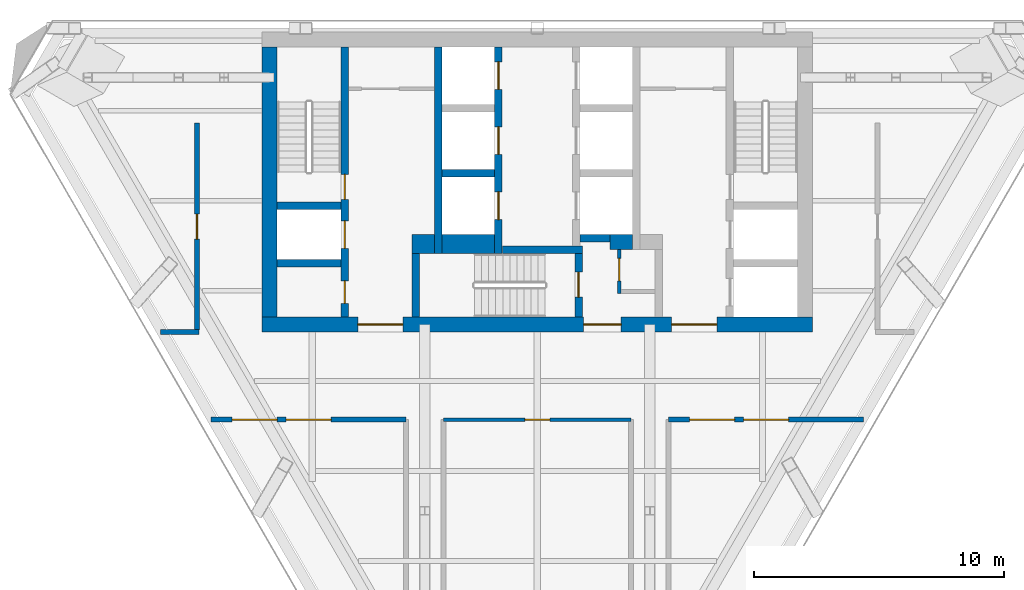
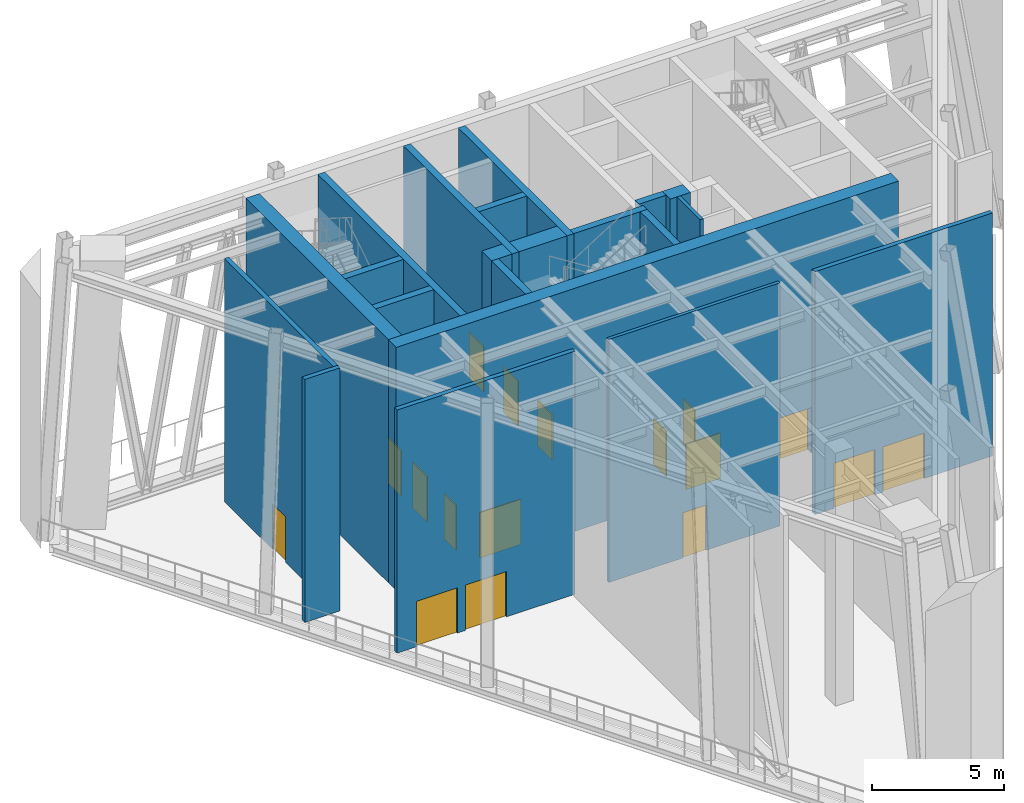
# One storey, part 3 of 11: 21 walls, 17 doors, 17 openings.
"""IFC4 building model written with IfcOpenShell, lengths in metres."""

from ifc_helpers import new_model, si_unit, direction, frame, frame_2d, origin, place, context, subcontext, project, spatial, rectangle, extrude, material, layer, layer_set, type_object, element, fill, save


model = new_model("IFC4")

# Units and contexts
model_context = context("Model", 3, precision=1e-05, world=origin(), true_north=direction((0.0, 1.0)))
body_context = subcontext(model_context, "Body", "Model", "MODEL_VIEW")
ifc_project = project(units=[si_unit("LENGTHUNIT", "METRE"), si_unit("AREAUNIT", "SQUARE_METRE"), si_unit("VOLUMEUNIT", "CUBIC_METRE"), si_unit("PLANEANGLEUNIT", "RADIAN"), si_unit("MASSUNIT", "GRAM", prefix="KILO")], contexts=[model_context])

# Site, building, storey
site_placement = place(None, origin())
site = spatial("IfcSite", under=ifc_project, at=site_placement, CompositionType="ELEMENT")
building_placement = place(site_placement, origin())
building = spatial("IfcBuilding", under=site, at=building_placement, Name="Aloe Facet Convention Tower", CompositionType="ELEMENT")
storey_placement = place(building_placement, frame((0.0, 0.0, 227.0)))
storey = spatial("IfcBuildingStorey", under=building, at=storey_placement, Name="L57", CompositionType="ELEMENT", Elevation=227.0)

# Wall, opening, door
ifc_material_1 = material(Name="Concrete blockwork partition", Category="masonry")
ifc_layer_1 = layer(ifc_material_1, 0.14990234375)
ifc_layer_set_1 = layer_set([ifc_layer_1], Name="CR-W-PART150")
wall_type_1 = type_object("IfcWallType", Name="CR-W-PART150", PredefinedType="PARTITIONING", material=ifc_layer_set_1)
wall_1_placement = place(storey_placement, frame((83.27490234375, 125.85009765625, 0.0), z_axis=(0.0, 0.0, 1.0), x_axis=(0.0, -1.0, 0.0)))
wall_1 = element("IfcWall", 1, at=wall_1_placement, inside=storey, type_object=wall_type_1, Name="Core partition L57-022", PredefinedType="PARTITIONING", context=body_context, shape_type="SweptSolid", body=[
    extrude(rectangle(XDim=1.75, YDim=0.14990234375, at=frame_2d((0.875, 0.0))), origin(), (0.0, 0.0, 1.0), 11.25),
])
opening_1_placement = place(wall_1_placement, frame((0.35009765625, 0.0, 0.0)))
opening_1 = element("IfcOpeningElement", 2, at=opening_1_placement, cuts=wall_1, Name="Opening L57-CD12", PredefinedType="OPENING", context=body_context, shape_type="SweptSolid", body=[
    extrude(rectangle(XDim=0.89990234375, YDim=2.10009765625, at=frame_2d((0.449951171875, 1.050048828125))), frame((0.0, 0.0849609375, 0.0), z_axis=(0.0, -1.0, 0.0), x_axis=(1.0, 0.0, 0.0)), (0.0, 0.0, 1.0), 0.169921875),
])
ifc_material_2 = material(Name="Steel fire-resisting door set FD60", Category="steel")
door_type_1 = type_object("IfcDoorType", Name="CR-D-REFUGE-900-FD60-SRIGHT", OperationType="SINGLE_SWING_RIGHT", PredefinedType="DOOR", material=ifc_material_2)
door_1_placement = place(opening_1_placement, origin())
door_1 = element("IfcDoor", 3, at=door_1_placement, inside=storey, type_object=door_type_1, Name="Core door L57-CD12", OperationType="SINGLE_SWING_RIGHT", OverallHeight=2.10009765625, OverallWidth=0.89990234375, PredefinedType="DOOR", context=body_context, shape_type="SweptSolid", body=[
    extrude(rectangle(XDim=0.89990234375, YDim=2.10009765625, at=frame_2d((0.449951171875, 1.050048828125))), frame((0.0, 0.02490234375, 0.0), z_axis=(0.0, -1.0, 0.0), x_axis=(1.0, 0.0, 0.0)), (0.0, 0.0, 1.0), 0.050048828125),
])
fill(opening_1, door_1)

# Walls
ifc_material_3 = material(Name="Concrete C50/60", Category="concrete")
ifc_layer_2 = layer(ifc_material_3, 0.300048828125)
ifc_layer_set_2 = layer_set([ifc_layer_2], Name="CR-W-RC300-C5060")
wall_type_2 = type_object("IfcWallType", Name="CR-W-RC300-C5060", PredefinedType="SOLIDWALL", material=ifc_layer_set_2)
for number, where, z_axis, x_axis, name in (
    (4, (69.60009765625, 127.60009765625, 0.0), (0.0, 0.0, 1.0), (1.0, 0.0, 0.0), "Core wall L57-004"),
    (5, (69.60009765625, 125.300048828125, 0.0), (0.0, 0.0, 1.0), (1.0, 0.0, 0.0), "Core wall L57-005"),
):
    element("IfcWall", number, at=place(storey_placement, frame(where, z_axis=z_axis, x_axis=x_axis)), inside=storey, type_object=wall_type_2, Name=name, PredefinedType="SOLIDWALL", context=body_context, shape_type="SweptSolid", body=[
        extrude(rectangle(XDim=2.5498046875, YDim=0.300048828125, at=frame_2d((1.27490234375, 0.0))), origin(), (0.0, 0.0, 1.0), 11.25),
    ])

# Wall, openings, doors
wall_2_placement = place(storey_placement, frame((72.300048828125, 133.949951171875, 0.0), z_axis=(0.0, 0.0, 1.0), x_axis=(0.0, -1.0, 0.0)))
wall_2 = element("IfcWall", 6, at=wall_2_placement, inside=storey, type_object=wall_type_2, Name="Core wall L57-006", PredefinedType="SOLIDWALL", context=body_context, shape_type="SweptSolid", body=[
    extrude(rectangle(XDim=10.800048828125, YDim=0.300048828125, at=frame_2d((5.39990234375, 0.0))), origin(), (0.0, 0.0, 1.0), 11.25),
])
opening_2_placement = place(wall_2_placement, frame((6.949951171875, 0.0, 0.0)))
opening_2 = element("IfcOpeningElement", 7, at=opening_2_placement, cuts=wall_2, Name="Opening LD-FF1-L57", PredefinedType="OPENING", context=body_context, shape_type="SweptSolid", body=[
    extrude(rectangle(XDim=1.10009765625, YDim=2.10009765625, at=frame_2d((0.550048828125, 1.050048828125))), frame((0.0, 0.16015625, 0.0), z_axis=(0.0, -1.0, 0.0), x_axis=(1.0, 0.0, 0.0)), (0.0, 0.0, 1.0), 0.320068359375),
])
opening_3_placement = place(wall_2_placement, frame((9.35009765625, 0.0, 0.0)))
opening_3 = element("IfcOpeningElement", 8, at=opening_3_placement, cuts=wall_2, Name="Opening L57-CD15", PredefinedType="OPENING", context=body_context, shape_type="SweptSolid", body=[
    extrude(rectangle(XDim=0.89990234375, YDim=2.10009765625, at=frame_2d((0.449951171875, 1.050048828125))), frame((0.0, 0.16015625, 0.0), z_axis=(0.0, -1.0, 0.0), x_axis=(1.0, 0.0, 0.0)), (0.0, 0.0, 1.0), 0.320068359375),
])
opening_4_placement = place(wall_2_placement, frame((5.10009765625, 0.0, 0.0)))
opening_4 = element("IfcOpeningElement", 9, at=opening_4_placement, cuts=wall_2, Name="Opening L57-CD16", PredefinedType="OPENING", context=body_context, shape_type="SweptSolid", body=[
    extrude(rectangle(XDim=1.0, YDim=2.10009765625, at=frame_2d((0.5, 1.050048828125))), frame((0.0, 0.16015625, 0.0), z_axis=(0.0, -1.0, 0.0), x_axis=(1.0, 0.0, 0.0)), (0.0, 0.0, 1.0), 0.320068359375),
])
ifc_material_4 = material(Name="Steel fire-resisting door set FD60", Category="steel")
door_type_2 = type_object("IfcDoorType", Name="CR-D-ROOM-900-FD60-SLEFT", OperationType="SINGLE_SWING_LEFT", PredefinedType="DOOR", material=ifc_material_4)
door_2_placement = place(opening_3_placement, origin())
door_2 = element("IfcDoor", 10, at=door_2_placement, inside=storey, type_object=door_type_2, Name="Core door L57-CD15", OperationType="SINGLE_SWING_LEFT", OverallHeight=2.10009765625, OverallWidth=0.89990234375, PredefinedType="DOOR", context=body_context, shape_type="SweptSolid", body=[
    extrude(rectangle(XDim=0.89990234375, YDim=2.10009765625, at=frame_2d((0.449951171875, 1.050048828125))), frame((0.0, 0.02490234375, 0.0), z_axis=(0.0, -1.0, 0.0), x_axis=(1.0, 0.0, 0.0)), (0.0, 0.0, 1.0), 0.050048828125),
])
fill(opening_3, door_2)
ifc_material_5 = material(Name="Steel fire-resisting door set FD120", Category="steel")
door_type_3 = type_object("IfcDoorType", Name="CR-D-STAIR-1000-FD120-SRIGHT", OperationType="SINGLE_SWING_RIGHT", PredefinedType="DOOR", material=ifc_material_5)
door_3_placement = place(opening_4_placement, origin())
door_3 = element("IfcDoor", 11, at=door_3_placement, inside=storey, type_object=door_type_3, Name="Core door L57-CD16", OperationType="SINGLE_SWING_RIGHT", OverallHeight=2.10009765625, OverallWidth=1.0, PredefinedType="DOOR", context=body_context, shape_type="SweptSolid", body=[
    extrude(rectangle(XDim=1.0, YDim=2.10009765625, at=frame_2d((0.5, 1.050048828125))), frame((0.0, 0.02490234375, 0.0), z_axis=(0.0, -1.0, 0.0), x_axis=(1.0, 0.0, 0.0)), (0.0, 0.0, 1.0), 0.050048828125),
])
fill(opening_4, door_3)
ifc_material_6 = material(Name="Stainless steel sliding landing door", Category="steel")
door_type_4 = type_object("IfcDoorType", Name="CR-LD-1100-FD120-_LEFT", OperationType="SLIDING_TO_LEFT", PredefinedType="DOOR", material=ifc_material_6)
door_4_placement = place(opening_2_placement, origin())
door_4 = element("IfcDoor", 12, at=door_4_placement, inside=storey, type_object=door_type_4, Name="Landing door FF1 L57", OperationType="SLIDING_TO_LEFT", OverallHeight=2.10009765625, OverallWidth=1.10009765625, PredefinedType="DOOR", context=body_context, shape_type="SweptSolid", body=[
    extrude(rectangle(XDim=1.10009765625, YDim=2.10009765625, at=frame_2d((0.550048828125, 1.050048828125))), frame((0.0, 0.02490234375, 0.0), z_axis=(0.0, -1.0, 0.0), x_axis=(1.0, 0.0, 0.0)), (0.0, 0.0, 1.0), 0.050048828125),
])
fill(opening_2, door_4)

# Walls
wall_3_placement = place(storey_placement, frame((75.14990234375, 125.699951171875, 0.0), z_axis=(0.0, 0.0, 1.0), x_axis=(0.0, -1.0, 0.0)))
element("IfcWall", 13, at=wall_3_placement, inside=storey, type_object=wall_type_2, Name="Core wall L57-009", PredefinedType="SOLIDWALL", context=body_context, shape_type="SweptSolid", body=[
    extrude(rectangle(XDim=2.550048828125, YDim=0.300048828125, at=frame_2d((1.27490234375, 0.0))), origin(), (0.0, 0.0, 1.0), 11.25),
])
wall_4_placement = place(storey_placement, frame((76.050048828125, 133.949951171875, 0.0), z_axis=(0.0, 0.0, 1.0), x_axis=(0.0, -1.0, 0.0)))
element("IfcWall", 14, at=wall_4_placement, inside=storey, type_object=wall_type_2, Name="Core wall L57-010", PredefinedType="SOLIDWALL", context=body_context, shape_type="SweptSolid", body=[
    extrude(rectangle(XDim=8.25, YDim=0.300048828125, at=frame_2d((4.125, 0.0))), origin(), (0.0, 0.0, 1.0), 11.25),
])
wall_5_placement = place(storey_placement, frame((76.199951171875, 128.89990234375, 0.0), z_axis=(0.0, 0.0, 1.0), x_axis=(1.0, 0.0, 0.0)))
element("IfcWall", 15, at=wall_5_placement, inside=storey, type_object=wall_type_2, Name="Core wall L57-012", PredefinedType="SOLIDWALL", context=body_context, shape_type="SweptSolid", body=[
    extrude(rectangle(XDim=2.10009765625, YDim=0.300048828125, at=frame_2d((1.050048828125, 0.0))), origin(), (0.0, 0.0, 1.0), 11.25),
])

# Wall, openings, doors
wall_6_placement = place(storey_placement, frame((78.449951171875, 133.949951171875, 0.0), z_axis=(0.0, 0.0, 1.0), x_axis=(0.0, -1.0, 0.0)))
wall_6 = element("IfcWall", 16, at=wall_6_placement, inside=storey, type_object=wall_type_2, Name="Core wall L57-014", PredefinedType="SOLIDWALL", context=body_context, shape_type="SweptSolid", body=[
    extrude(rectangle(XDim=8.25, YDim=0.300048828125, at=frame_2d((4.125, 0.0))), origin(), (0.0, 0.0, 1.0), 11.25),
])
opening_5_placement = place(wall_6_placement, frame((0.60009765625, 0.0, 0.0)))
opening_5 = element("IfcOpeningElement", 17, at=opening_5_placement, cuts=wall_6, Name="Opening LD-B1-L57", PredefinedType="OPENING", context=body_context, shape_type="SweptSolid", body=[
    extrude(rectangle(XDim=1.10009765625, YDim=2.10009765625, at=frame_2d((0.550048828125, 1.050048828125))), frame((0.0, 0.16015625, 0.0), z_axis=(0.0, -1.0, 0.0), x_axis=(1.0, 0.0, 0.0)), (0.0, 0.0, 1.0), 0.320068359375),
])
opening_6_placement = place(wall_6_placement, frame((3.199951171875, 0.0, 0.0)))
opening_6 = element("IfcOpeningElement", 18, at=opening_6_placement, cuts=wall_6, Name="Opening LD-B2-L57", PredefinedType="OPENING", context=body_context, shape_type="SweptSolid", body=[
    extrude(rectangle(XDim=1.10009765625, YDim=2.10009765625, at=frame_2d((0.550048828125, 1.050048828125))), frame((0.0, 0.16015625, 0.0), z_axis=(0.0, -1.0, 0.0), x_axis=(1.0, 0.0, 0.0)), (0.0, 0.0, 1.0), 0.320068359375),
])
opening_7_placement = place(wall_6_placement, frame((5.800048828125, 0.0, 0.0)))
opening_7 = element("IfcOpeningElement", 19, at=opening_7_placement, cuts=wall_6, Name="Opening LD-B3-L57", PredefinedType="OPENING", context=body_context, shape_type="SweptSolid", body=[
    extrude(rectangle(XDim=1.10009765625, YDim=2.10009765625, at=frame_2d((0.550048828125, 1.050048828125))), frame((0.0, 0.16015625, 0.0), z_axis=(0.0, -1.0, 0.0), x_axis=(1.0, 0.0, 0.0)), (0.0, 0.0, 1.0), 0.320068359375),
])
ifc_material_7 = material(Name="Stainless steel sliding landing door", Category="steel")
door_type_5 = type_object("IfcDoorType", Name="CR-LD-1100-FD60-RIGHT", OperationType="SLIDING_TO_RIGHT", PredefinedType="DOOR", material=ifc_material_7)
door_5_placement = place(opening_5_placement, origin())
door_5 = element("IfcDoor", 20, at=door_5_placement, inside=storey, type_object=door_type_5, Name="Landing door B1 L57", OperationType="SLIDING_TO_RIGHT", OverallHeight=2.10009765625, OverallWidth=1.10009765625, PredefinedType="DOOR", context=body_context, shape_type="SweptSolid", body=[
    extrude(rectangle(XDim=1.10009765625, YDim=2.10009765625, at=frame_2d((0.550048828125, 1.050048828125))), frame((0.0, 0.02490234375, 0.0), z_axis=(0.0, -1.0, 0.0), x_axis=(1.0, 0.0, 0.0)), (0.0, 0.0, 1.0), 0.050048828125),
])
fill(opening_5, door_5)
door_6_placement = place(opening_6_placement, origin())
door_6 = element("IfcDoor", 21, at=door_6_placement, inside=storey, type_object=door_type_5, Name="Landing door B2 L57", OperationType="SLIDING_TO_RIGHT", OverallHeight=2.10009765625, OverallWidth=1.10009765625, PredefinedType="DOOR", context=body_context, shape_type="SweptSolid", body=[
    extrude(rectangle(XDim=1.10009765625, YDim=2.10009765625, at=frame_2d((0.550048828125, 1.050048828125))), frame((0.0, 0.02490234375, 0.0), z_axis=(0.0, -1.0, 0.0), x_axis=(1.0, 0.0, 0.0)), (0.0, 0.0, 1.0), 0.050048828125),
])
fill(opening_6, door_6)
door_7_placement = place(opening_7_placement, origin())
door_7 = element("IfcDoor", 22, at=door_7_placement, inside=storey, type_object=door_type_5, Name="Landing door B3 L57", OperationType="SLIDING_TO_RIGHT", OverallHeight=2.10009765625, OverallWidth=1.10009765625, PredefinedType="DOOR", context=body_context, shape_type="SweptSolid", body=[
    extrude(rectangle(XDim=1.10009765625, YDim=2.10009765625, at=frame_2d((0.550048828125, 1.050048828125))), frame((0.0, 0.02490234375, 0.0), z_axis=(0.0, -1.0, 0.0), x_axis=(1.0, 0.0, 0.0)), (0.0, 0.0, 1.0), 0.050048828125),
])
fill(opening_7, door_7)

# Wall
wall_7_placement = place(storey_placement, frame((78.60009765625, 125.85009765625, 0.0), z_axis=(0.0, 0.0, 1.0), x_axis=(1.0, 0.0, 0.0)))
element("IfcWall", 23, at=wall_7_placement, inside=storey, type_object=wall_type_2, Name="Core wall L57-015", PredefinedType="SOLIDWALL", context=body_context, shape_type="SweptSolid", body=[
    extrude(rectangle(XDim=3.199951171875, YDim=0.300048828125, at=frame_2d((1.60009765625, 0.0))), origin(), (0.0, 0.0, 1.0), 11.25),
])

# Wall, opening, door
wall_8_placement = place(storey_placement, frame((81.64990234375, 125.699951171875, 0.0), z_axis=(0.0, 0.0, 1.0), x_axis=(0.0, -1.0, 0.0)))
wall_8 = element("IfcWall", 24, at=wall_8_placement, inside=storey, type_object=wall_type_2, Name="Core wall L57-017", PredefinedType="SOLIDWALL", context=body_context, shape_type="SweptSolid", body=[
    extrude(rectangle(XDim=2.550048828125, YDim=0.300048828125, at=frame_2d((1.27490234375, 0.0))), origin(), (0.0, 0.0, 1.0), 11.25),
])
opening_8_placement = place(wall_8_placement, frame((0.75, 0.0, 0.0)))
opening_8 = element("IfcOpeningElement", 25, at=opening_8_placement, cuts=wall_8, Name="Opening L57-CD18", PredefinedType="OPENING", context=body_context, shape_type="SweptSolid", body=[
    extrude(rectangle(XDim=1.0, YDim=2.10009765625, at=frame_2d((0.5, 1.050048828125))), frame((0.0, 0.16015625, 0.0), z_axis=(0.0, -1.0, 0.0), x_axis=(1.0, 0.0, 0.0)), (0.0, 0.0, 1.0), 0.320068359375),
])
ifc_material_8 = material(Name="Steel fire-resisting door set FD120", Category="steel")
door_type_6 = type_object("IfcDoorType", Name="CR-D-STAIR-1000-FD120-SLEFT", OperationType="SINGLE_SWING_LEFT", PredefinedType="DOOR", material=ifc_material_8)
door_8_placement = place(opening_8_placement, origin())
door_8 = element("IfcDoor", 26, at=door_8_placement, inside=storey, type_object=door_type_6, Name="Core door L57-CD18", OperationType="SINGLE_SWING_LEFT", OverallHeight=2.10009765625, OverallWidth=1.0, PredefinedType="DOOR", context=body_context, shape_type="SweptSolid", body=[
    extrude(rectangle(XDim=1.0, YDim=2.10009765625, at=frame_2d((0.5, 1.050048828125))), frame((0.0, 0.02490234375, 0.0), z_axis=(0.0, -1.0, 0.0), x_axis=(1.0, 0.0, 0.0)), (0.0, 0.0, 1.0), 0.050048828125),
])
fill(opening_8, door_8)

# Walls
wall_9_placement = place(storey_placement, frame((81.699951171875, 126.300048828125, 0.0), z_axis=(0.0, 0.0, 1.0), x_axis=(1.0, 0.0, 0.0)))
element("IfcWall", 27, at=wall_9_placement, inside=storey, type_object=wall_type_2, Name="Core wall L57-020", PredefinedType="SOLIDWALL", context=body_context, shape_type="SweptSolid", body=[
    extrude(rectangle(XDim=1.199951171875, YDim=0.300048828125, at=frame_2d((0.60009765625, 0.0))), origin(), (0.0, 0.0, 1.0), 11.25),
])
ifc_material_9 = material(Name="Concrete C50/60", Category="concrete")
ifc_layer_3 = layer(ifc_material_9, 0.60009765625)
ifc_layer_set_3 = layer_set([ifc_layer_3], Name="CR-W-RC600-C5060")
wall_type_3 = type_object("IfcWallType", Name="CR-W-RC600-C5060", PredefinedType="SOLIDWALL", material=ifc_layer_set_3)
wall_10_placement = place(storey_placement, frame((69.300048828125, 133.949951171875, 0.0), z_axis=(0.0, 0.0, 1.0), x_axis=(0.0, -1.0, 0.0)))
element("IfcWall", 28, at=wall_10_placement, inside=storey, type_object=wall_type_3, Name="Core wall L57-002", PredefinedType="SOLIDWALL", context=body_context, shape_type="SweptSolid", body=[
    extrude(rectangle(XDim=10.800048828125, YDim=0.60009765625, at=frame_2d((5.39990234375, 0.0))), origin(), (0.0, 0.0, 1.0), 11.25),
])

# Wall, openings, doors
wall_11_placement = place(storey_placement, frame((69.0, 122.85009765625, 0.0), z_axis=(0.0, 0.0, 1.0), x_axis=(1.0, 0.0, 0.0)))
wall_11 = element("IfcWall", 29, at=wall_11_placement, inside=storey, type_object=wall_type_3, Name="Core wall L57-003", PredefinedType="SOLIDWALL", context=body_context, shape_type="SweptSolid", body=[
    extrude(rectangle(XDim=22.0, YDim=0.60009765625, at=frame_2d((11.0, 0.0))), origin(), (0.0, 0.0, 1.0), 11.25),
])
opening_9_placement = place(wall_11_placement, frame((16.375, 0.0, 0.0)))
opening_9 = element("IfcOpeningElement", 30, at=opening_9_placement, cuts=wall_11, Name="Opening L57-CD09", PredefinedType="OPENING", context=body_context, shape_type="SweptSolid", body=[
    extrude(rectangle(XDim=1.800048828125, YDim=2.10009765625, at=frame_2d((0.89990234375, 1.050048828125))), frame((0.0, 0.31005859375, 0.0), z_axis=(0.0, -1.0, 0.0), x_axis=(1.0, 0.0, 0.0)), (0.0, 0.0, 1.0), 0.6201171875),
])
opening_10_placement = place(wall_11_placement, frame((3.824951171875, 0.0, 0.0)))
opening_10 = element("IfcOpeningElement", 31, at=opening_10_placement, cuts=wall_11, Name="Opening L57-CD10", PredefinedType="OPENING", context=body_context, shape_type="SweptSolid", body=[
    extrude(rectangle(XDim=1.800048828125, YDim=2.10009765625, at=frame_2d((0.89990234375, 1.050048828125))), frame((0.0, 0.31005859375, 0.0), z_axis=(0.0, -1.0, 0.0), x_axis=(1.0, 0.0, 0.0)), (0.0, 0.0, 1.0), 0.6201171875),
])
opening_11_placement = place(wall_11_placement, frame((12.85009765625, 0.0, 0.0)))
opening_11 = element("IfcOpeningElement", 32, at=opening_11_placement, cuts=wall_11, Name="Opening L57-CD11", PredefinedType="OPENING", context=body_context, shape_type="SweptSolid", body=[
    extrude(rectangle(XDim=1.5, YDim=2.10009765625, at=frame_2d((0.75, 1.050048828125))), frame((0.0, 0.31005859375, 0.0), z_axis=(0.0, -1.0, 0.0), x_axis=(1.0, 0.0, 0.0)), (0.0, 0.0, 1.0), 0.6201171875),
])
ifc_material_10 = material(Name="Steel fire-resisting door set FD60", Category="steel")
door_type_7 = type_object("IfcDoorType", Name="CR-D-EXIT-1500-FD60-DD", OperationType="DOUBLE_DOOR_DOUBLE_SWING", PredefinedType="DOOR", material=ifc_material_10)
door_9_placement = place(opening_11_placement, origin())
door_9 = element("IfcDoor", 33, at=door_9_placement, inside=storey, type_object=door_type_7, Name="Core door L57-CD11", OperationType="DOUBLE_DOOR_DOUBLE_SWING", OverallHeight=2.10009765625, OverallWidth=1.5, PredefinedType="DOOR", context=body_context, shape_type="SweptSolid", body=[
    extrude(rectangle(XDim=1.5, YDim=2.10009765625, at=frame_2d((0.75, 1.050048828125))), frame((0.0, 0.02490234375, 0.0), z_axis=(0.0, -1.0, 0.0), x_axis=(1.0, 0.0, 0.0)), (0.0, 0.0, 1.0), 0.050048828125),
])
fill(opening_11, door_9)
ifc_material_11 = material(Name="Steel fire-resisting door set FD120", Category="steel")
door_type_8 = type_object("IfcDoorType", Name="CR-D-EXIT-1800-FD120-DD", OperationType="DOUBLE_DOOR_DOUBLE_SWING", PredefinedType="DOOR", material=ifc_material_11)
door_10_placement = place(opening_9_placement, origin())
door_10 = element("IfcDoor", 34, at=door_10_placement, inside=storey, type_object=door_type_8, Name="Core door L57-CD09", OperationType="DOUBLE_DOOR_DOUBLE_SWING", OverallHeight=2.10009765625, OverallWidth=1.800048828125, PredefinedType="DOOR", context=body_context, shape_type="SweptSolid", body=[
    extrude(rectangle(XDim=1.800048828125, YDim=2.10009765625, at=frame_2d((0.89990234375, 1.050048828125))), frame((0.0, 0.02490234375, 0.0), z_axis=(0.0, -1.0, 0.0), x_axis=(1.0, 0.0, 0.0)), (0.0, 0.0, 1.0), 0.050048828125),
])
fill(opening_9, door_10)
door_11_placement = place(opening_10_placement, origin())
door_11 = element("IfcDoor", 35, at=door_11_placement, inside=storey, type_object=door_type_8, Name="Core door L57-CD10", OperationType="DOUBLE_DOOR_DOUBLE_SWING", OverallHeight=2.10009765625, OverallWidth=1.800048828125, PredefinedType="DOOR", context=body_context, shape_type="SweptSolid", body=[
    extrude(rectangle(XDim=1.800048828125, YDim=2.10009765625, at=frame_2d((0.89990234375, 1.050048828125))), frame((0.0, 0.02490234375, 0.0), z_axis=(0.0, -1.0, 0.0), x_axis=(1.0, 0.0, 0.0)), (0.0, 0.0, 1.0), 0.050048828125),
])
fill(opening_10, door_11)

# Walls
wall_12_placement = place(storey_placement, frame((82.89990234375, 126.14990234375, 0.0), z_axis=(0.0, 0.0, 1.0), x_axis=(1.0, 0.0, 0.0)))
element("IfcWall", 36, at=wall_12_placement, inside=storey, type_object=wall_type_3, Name="Core wall L57-021", PredefinedType="SOLIDWALL", context=body_context, shape_type="SweptSolid", body=[
    extrude(rectangle(XDim=0.900146484375, YDim=0.60009765625, at=frame_2d((0.4501953125, 0.0))), origin(), (0.0, 0.0, 1.0), 11.25),
])
ifc_material_12 = material(Name="Concrete C50/60", Category="concrete")
ifc_layer_4 = layer(ifc_material_12, 0.75)
ifc_layer_set_4 = layer_set([ifc_layer_4], Name="CR-W-RC750-C5060")
wall_type_4 = type_object("IfcWallType", Name="CR-W-RC750-C5060", PredefinedType="SOLIDWALL", material=ifc_layer_set_4)
wall_13_placement = place(storey_placement, frame((75.0, 126.074951171875, 0.0), z_axis=(0.0, 0.0, 1.0), x_axis=(1.0, 0.0, 0.0)))
element("IfcWall", 37, at=wall_13_placement, inside=storey, type_object=wall_type_4, Name="Core wall L57-008", PredefinedType="SOLIDWALL", context=body_context, shape_type="SweptSolid", body=[
    extrude(rectangle(XDim=0.89990234375, YDim=0.75, at=frame_2d((0.449951171875, 0.0))), origin(), (0.0, 0.0, 1.0), 11.25),
])
wall_14_placement = place(storey_placement, frame((76.199951171875, 126.074951171875, 0.0), z_axis=(0.0, 0.0, 1.0), x_axis=(1.0, 0.0, 0.0)))
element("IfcWall", 38, at=wall_14_placement, inside=storey, type_object=wall_type_4, Name="Core wall L57-013", PredefinedType="SOLIDWALL", context=body_context, shape_type="SweptSolid", body=[
    extrude(rectangle(XDim=2.10009765625, YDim=0.75, at=frame_2d((1.050048828125, 0.0))), origin(), (0.0, 0.0, 1.0), 11.25),
])

# Wall, openings, doors
ifc_material_13 = material(Name="Masonry blockwork wall, plastered", Category="masonry")
ifc_layer_5 = layer(ifc_material_13, 0.199951171875)
ifc_layer_set_5 = layer_set([ifc_layer_5], Name="IN-POD-W-ASSY")
wall_type_5 = type_object("IfcWallType", Name="IN-POD-W-ASSY", PredefinedType="PARTITIONING", material=ifc_layer_set_5)
wall_15_placement = place(storey_placement, frame((66.963623046875, 119.050048828125, 0.0), z_axis=(0.0, 0.0, 1.0), x_axis=(1.0, 0.0, 0.0)))
wall_15 = element("IfcWall", 39, at=wall_15_placement, inside=storey, type_object=wall_type_5, Name="Partition L57-W001", PredefinedType="PARTITIONING", context=body_context, shape_type="SweptSolid", body=[
    extrude(rectangle(XDim=7.786376953125, YDim=0.199951171875, at=frame_2d((3.89306640625, 0.0))), origin(), (0.0, 0.0, 1.0), 11.25),
])
opening_12_placement = place(wall_15_placement, frame((2.9931640625, 0.0, 0.0)))
opening_12 = element("IfcOpeningElement", 40, at=opening_12_placement, cuts=wall_15, Name="Opening L57-003", PredefinedType="OPENING", context=body_context, shape_type="SweptSolid", body=[
    extrude(rectangle(XDim=1.800048828125, YDim=2.10009765625, at=frame_2d((0.89990234375, 1.050048828125))), frame((0.0, 0.10986328125, 0.0), z_axis=(0.0, -1.0, 0.0), x_axis=(1.0, 0.0, 0.0)), (0.0, 0.0, 1.0), 0.219970703125),
])
opening_13_placement = place(wall_15_placement, frame((0.838623046875, 0.0, 0.0)))
opening_13 = element("IfcOpeningElement", 41, at=opening_13_placement, cuts=wall_15, Name="Opening L57-004", PredefinedType="OPENING", context=body_context, shape_type="SweptSolid", body=[
    extrude(rectangle(XDim=1.800048828125, YDim=2.10009765625, at=frame_2d((0.89990234375, 1.050048828125))), frame((0.0, 0.10986328125, 0.0), z_axis=(0.0, -1.0, 0.0), x_axis=(1.0, 0.0, 0.0)), (0.0, 0.0, 1.0), 0.219970703125),
])
ifc_material_14 = material(Name="Hardwood flush door pair", Category="wood")
door_type_9 = type_object("IfcDoorType", Name="IN-POD-D-PAIR", OperationType="DOUBLE_DOOR_SINGLE_SWING", PredefinedType="DOOR", material=ifc_material_14)
door_12_placement = place(opening_12_placement, origin())
door_12 = element("IfcDoor", 42, at=door_12_placement, inside=storey, type_object=door_type_9, Name="Door L57-003", OperationType="SINGLE_SWING_LEFT", OverallHeight=2.10009765625, OverallWidth=1.800048828125, PredefinedType="DOOR", context=body_context, shape_type="SweptSolid", body=[
    extrude(rectangle(XDim=1.800048828125, YDim=2.10009765625, at=frame_2d((0.89990234375, 1.050048828125))), frame((0.0, 0.02490234375, 0.0), z_axis=(0.0, -1.0, 0.0), x_axis=(1.0, 0.0, 0.0)), (0.0, 0.0, 1.0), 0.050048828125),
])
fill(opening_12, door_12)
door_13_placement = place(opening_13_placement, origin())
door_13 = element("IfcDoor", 43, at=door_13_placement, inside=storey, type_object=door_type_9, Name="Door L57-004", OperationType="SINGLE_SWING_LEFT", OverallHeight=2.10009765625, OverallWidth=1.800048828125, PredefinedType="DOOR", context=body_context, shape_type="SweptSolid", body=[
    extrude(rectangle(XDim=1.800048828125, YDim=2.10009765625, at=frame_2d((0.89990234375, 1.050048828125))), frame((0.0, 0.02490234375, 0.0), z_axis=(0.0, -1.0, 0.0), x_axis=(1.0, 0.0, 0.0)), (0.0, 0.0, 1.0), 0.050048828125),
])
fill(opening_13, door_13)

wall_16_placement = place(storey_placement, frame((85.25, 119.050048828125, 0.0), z_axis=(0.0, 0.0, 1.0), x_axis=(1.0, 0.0, 0.0)))
wall_16 = element("IfcWall", 44, at=wall_16_placement, inside=storey, type_object=wall_type_5, Name="Partition L57-W003", PredefinedType="PARTITIONING", context=body_context, shape_type="SweptSolid", body=[
    extrude(rectangle(XDim=7.786376953125, YDim=0.199951171875, at=frame_2d((3.89306640625, 0.0))), origin(), (0.0, 0.0, 1.0), 11.25),
])
opening_14_placement = place(wall_16_placement, frame((2.9931640625, 0.0, 0.0)))
opening_14 = element("IfcOpeningElement", 45, at=opening_14_placement, cuts=wall_16, Name="Opening L57-006", PredefinedType="OPENING", context=body_context, shape_type="SweptSolid", body=[
    extrude(rectangle(XDim=1.800048828125, YDim=2.10009765625, at=frame_2d((0.89990234375, 1.050048828125))), frame((0.0, 0.10986328125, 0.0), z_axis=(0.0, -1.0, 0.0), x_axis=(1.0, 0.0, 0.0)), (0.0, 0.0, 1.0), 0.219970703125),
])
opening_15_placement = place(wall_16_placement, frame((0.838623046875, 0.0, 0.0)))
opening_15 = element("IfcOpeningElement", 46, at=opening_15_placement, cuts=wall_16, Name="Opening L57-007", PredefinedType="OPENING", context=body_context, shape_type="SweptSolid", body=[
    extrude(rectangle(XDim=1.800048828125, YDim=2.10009765625, at=frame_2d((0.89990234375, 1.050048828125))), frame((0.0, 0.10986328125, 0.0), z_axis=(0.0, -1.0, 0.0), x_axis=(1.0, 0.0, 0.0)), (0.0, 0.0, 1.0), 0.219970703125),
])
door_14_placement = place(opening_14_placement, origin())
door_14 = element("IfcDoor", 47, at=door_14_placement, inside=storey, type_object=door_type_9, Name="Door L57-006", OperationType="SINGLE_SWING_LEFT", OverallHeight=2.10009765625, OverallWidth=1.800048828125, PredefinedType="DOOR", context=body_context, shape_type="SweptSolid", body=[
    extrude(rectangle(XDim=1.800048828125, YDim=2.10009765625, at=frame_2d((0.89990234375, 1.050048828125))), frame((0.0, 0.02490234375, 0.0), z_axis=(0.0, -1.0, 0.0), x_axis=(1.0, 0.0, 0.0)), (0.0, 0.0, 1.0), 0.050048828125),
])
fill(opening_14, door_14)
door_15_placement = place(opening_15_placement, origin())
door_15 = element("IfcDoor", 48, at=door_15_placement, inside=storey, type_object=door_type_9, Name="Door L57-007", OperationType="SINGLE_SWING_LEFT", OverallHeight=2.10009765625, OverallWidth=1.800048828125, PredefinedType="DOOR", context=body_context, shape_type="SweptSolid", body=[
    extrude(rectangle(XDim=1.800048828125, YDim=2.10009765625, at=frame_2d((0.89990234375, 1.050048828125))), frame((0.0, 0.02490234375, 0.0), z_axis=(0.0, -1.0, 0.0), x_axis=(1.0, 0.0, 0.0)), (0.0, 0.0, 1.0), 0.050048828125),
])
fill(opening_15, door_15)

# Wall, opening, door
ifc_material_15 = material(Name="Gypsum board partition on steel studs, double layer", Category="steel")
ifc_layer_6 = layer(ifc_material_15, 0.14990234375)
ifc_layer_set_6 = layer_set([ifc_layer_6], Name="IN-POD-W-CORR")
wall_type_6 = type_object("IfcWallType", Name="IN-POD-W-CORR", PredefinedType="PARTITIONING", material=ifc_layer_set_6)
wall_17_placement = place(storey_placement, frame((76.25, 119.050048828125, 0.0), z_axis=(0.0, 0.0, 1.0), x_axis=(1.0, 0.0, 0.0)))
wall_17 = element("IfcWall", 49, at=wall_17_placement, inside=storey, type_object=wall_type_6, Name="Partition L57-W002", PredefinedType="PARTITIONING", context=body_context, shape_type="SweptSolid", body=[
    extrude(rectangle(XDim=7.5, YDim=0.14990234375, at=frame_2d((3.75, 0.0))), origin(), (0.0, 0.0, 1.0), 11.25),
])
opening_16_placement = place(wall_17_placement, frame((3.25, 0.0, 0.0)))
opening_16 = element("IfcOpeningElement", 50, at=opening_16_placement, cuts=wall_17, Name="Opening L57-005", PredefinedType="OPENING", context=body_context, shape_type="SweptSolid", body=[
    extrude(rectangle(XDim=1.0, YDim=2.10009765625, at=frame_2d((0.5, 1.050048828125))), frame((0.0, 0.0849609375, 0.0), z_axis=(0.0, -1.0, 0.0), x_axis=(1.0, 0.0, 0.0)), (0.0, 0.0, 1.0), 0.169921875),
])
ifc_material_16 = material(Name="Hardwood flush door", Category="wood")
door_type_10 = type_object("IfcDoorType", Name="IN-POD-D-WIDE", OperationType="SINGLE_SWING_LEFT", PredefinedType="DOOR", material=ifc_material_16)
door_16_placement = place(opening_16_placement, origin())
door_16 = element("IfcDoor", 51, at=door_16_placement, inside=storey, type_object=door_type_10, Name="Door L57-005", OperationType="SINGLE_SWING_LEFT", OverallHeight=2.10009765625, OverallWidth=1.0, PredefinedType="DOOR", context=body_context, shape_type="SweptSolid", body=[
    extrude(rectangle(XDim=1.0, YDim=2.10009765625, at=frame_2d((0.5, 1.050048828125))), frame((0.0, 0.02490234375, 0.0), z_axis=(0.0, -1.0, 0.0), x_axis=(1.0, 0.0, 0.0)), (0.0, 0.0, 1.0), 0.050048828125),
])
fill(opening_16, door_16)

# Wall
ifc_material_17 = material(Name="Masonry blockwork wall, plastered", Category="masonry")
ifc_layer_7 = layer(ifc_material_17, 0.199951171875)
ifc_layer_set_7 = layer_set([ifc_layer_7], Name="IN-POD-W-PLANT")
wall_type_7 = type_object("IfcWallType", Name="IN-POD-W-PLANT", PredefinedType="PARTITIONING", material=ifc_layer_set_7)
wall_18_placement = place(storey_placement, frame((64.943115234375, 122.550048828125, 0.0), z_axis=(0.0, 0.0, 1.0), x_axis=(1.0, 0.0, 0.0)))
element("IfcWall", 52, at=wall_18_placement, inside=storey, type_object=wall_type_7, Name="Partition L57-W004", PredefinedType="PARTITIONING", context=body_context, shape_type="SweptSolid", body=[
    extrude(rectangle(XDim=1.531982421875, YDim=0.199951171875, at=frame_2d((0.76611328125, 0.0))), origin(), (0.0, 0.0, 1.0), 11.25),
])

# Wall, opening, door
wall_19_placement = place(storey_placement, frame((66.39990234375, 122.635009765625, 0.0), z_axis=(0.0, 0.0, 1.0), x_axis=(0.0, 1.0, 0.0)))
wall_19 = element("IfcWall", 53, at=wall_19_placement, inside=storey, type_object=wall_type_7, Name="Partition L57-W005", PredefinedType="PARTITIONING", context=body_context, shape_type="SweptSolid", body=[
    extrude(rectangle(XDim=8.264892578125, YDim=0.199951171875, at=frame_2d((4.13232421875, 0.0))), origin(), (0.0, 0.0, 1.0), 11.25),
])
opening_17_placement = place(wall_19_placement, frame((3.632568359375, 0.0, 0.0)))
opening_17 = element("IfcOpeningElement", 54, at=opening_17_placement, cuts=wall_19, Name="Opening L57-001", PredefinedType="OPENING", context=body_context, shape_type="SweptSolid", body=[
    extrude(rectangle(XDim=1.0, YDim=2.10009765625, at=frame_2d((0.5, 1.050048828125))), frame((0.0, 0.10986328125, 0.0), z_axis=(0.0, -1.0, 0.0), x_axis=(1.0, 0.0, 0.0)), (0.0, 0.0, 1.0), 0.219970703125),
])
ifc_material_18 = material(Name="Steel flush door, galvanised", Category="steel")
door_type_11 = type_object("IfcDoorType", Name="IN-POD-D-PLANT", OperationType="SINGLE_SWING_LEFT", PredefinedType="DOOR", material=ifc_material_18)
door_17_placement = place(opening_17_placement, origin())
door_17 = element("IfcDoor", 55, at=door_17_placement, inside=storey, type_object=door_type_11, Name="Door L57-001", OperationType="SINGLE_SWING_LEFT", OverallHeight=2.10009765625, OverallWidth=1.0, PredefinedType="DOOR", context=body_context, shape_type="SweptSolid", body=[
    extrude(rectangle(XDim=1.0, YDim=2.10009765625, at=frame_2d((0.5, 1.050048828125))), frame((0.0, 0.02490234375, 0.0), z_axis=(0.0, -1.0, 0.0), x_axis=(1.0, 0.0, 0.0)), (0.0, 0.0, 1.0), 0.050048828125),
])
fill(opening_17, door_17)

save(model, "model.ifc")
